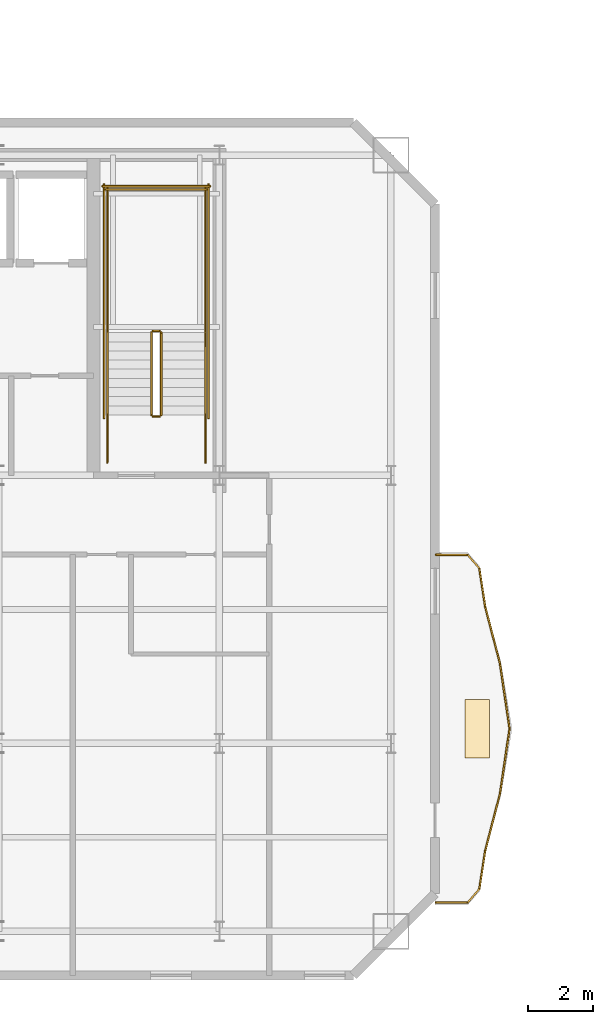
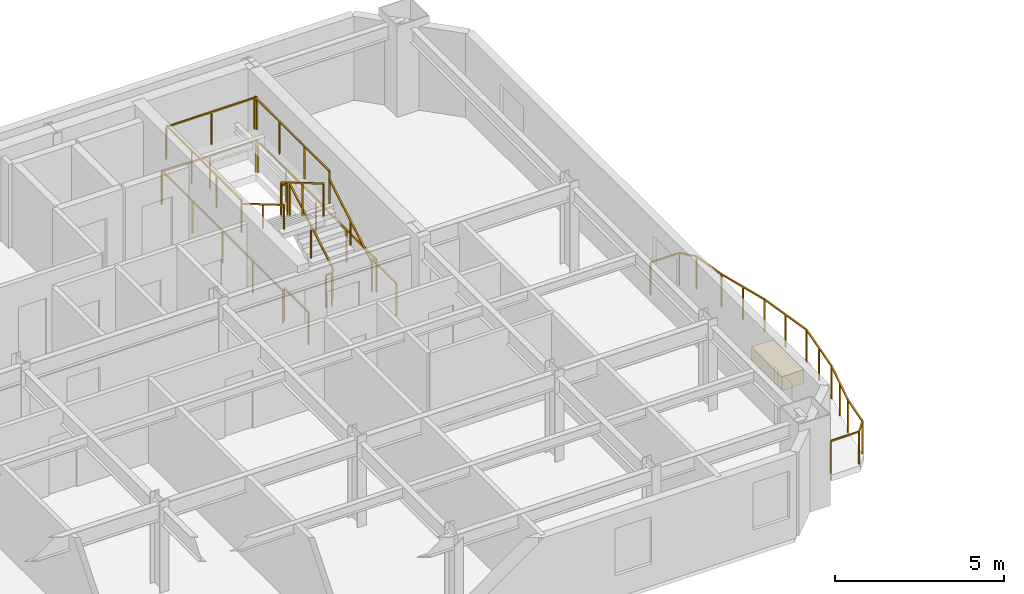
# One storey, part 11 of 13: 24 railings, 1 covering.
"""IFC4 building model written with IfcOpenShell, lengths in metres."""

from ifc_helpers import new_model, si_unit, direction, frame, origin, origin_2d, place, context, subcontext, project, spatial, rectangle, extrude, material, layer, layer_set, type_object, element, save


model = new_model("IFC4")

# Units and contexts
model_context = context("Model", 3, precision=1e-05, world=origin(), true_north=direction((0.0, 1.0)))
body_context = subcontext(model_context, "Body", "Model", "MODEL_VIEW")
ifc_project = project(units=[si_unit("LENGTHUNIT", "METRE"), si_unit("AREAUNIT", "SQUARE_METRE"), si_unit("VOLUMEUNIT", "CUBIC_METRE"), si_unit("PLANEANGLEUNIT", "RADIAN"), si_unit("MASSUNIT", "GRAM", prefix="KILO")], contexts=[model_context])

# Site, building, storey
site_placement = place(None, origin())
site = spatial("IfcSite", under=ifc_project, at=site_placement, CompositionType="ELEMENT")
building_placement = place(site_placement, origin())
building = spatial("IfcBuilding", under=site, at=building_placement, Name="Haevon Station Towers", CompositionType="ELEMENT")
storey_placement = place(building_placement, frame((0.0, 0.0, 225.300048828125)))
storey = spatial("IfcBuildingStorey", under=building, at=storey_placement, Name="L62", CompositionType="ELEMENT", Elevation=225.300048828125)

# Railings
ifc_material_1 = material(Name="Steel S355", Category="steel")
railing_type_1 = type_object("IfcRailingType", Name="GRD-EXT1200", PredefinedType="GUARDRAIL", material=ifc_material_1)
railing_1_placement = place(storey_placement, frame((57.62353515625, 25.1279296875, 0.0)))
element("IfcRailing", 1, at=railing_1_placement, inside=storey, type_object=railing_type_1, Name="L62 Perimeter Guardrail 1", PredefinedType="GUARDRAIL", context=body_context, shape_type="SweptSolid", body=[
    extrude(rectangle(XDim=0.048095703125, YDim=0.048095703125, at=origin_2d()), frame((0.0, 0.0, 1.17578125), z_axis=(0.999997990976, 0.002004506121, 0.0), x_axis=(-0.002004506121, 0.999997990976, 0.0)), (0.0, 0.0, 1.0), 0.974365234375),
    extrude(rectangle(XDim=0.0419921875, YDim=0.0419921875, at=origin_2d()), origin(), (0.0, 0.0, 1.0), 1.15185546875),
    extrude(rectangle(XDim=0.0419921875, YDim=0.0419921875, at=origin_2d()), frame((0.974365234375, 0.001953125, 0.0)), (0.0, 0.0, 1.0), 1.15185546875),
])
railing_2_placement = place(storey_placement, frame((58.597900390625, 25.1298828125, 0.0)))
element("IfcRailing", 2, at=railing_2_placement, inside=storey, type_object=railing_type_1, Name="L62 Perimeter Guardrail 2", PredefinedType="GUARDRAIL", context=body_context, shape_type="SweptSolid", body=[
    extrude(rectangle(XDim=0.048095703125, YDim=0.048095703125, at=origin_2d()), frame((0.0, 0.0, 1.17578125), z_axis=(0.65275272143, 0.757571042652, 0.0), x_axis=(-0.757571042652, 0.65275272143, 0.0)), (0.0, 0.0, 1.0), 0.542724609375),
    extrude(rectangle(XDim=0.0419921875, YDim=0.0419921875, at=origin_2d()), origin(), (0.0, 0.0, 1.0), 1.15185546875),
    extrude(rectangle(XDim=0.0419921875, YDim=0.0419921875, at=origin_2d()), frame((0.354248046875, 0.4111328125, 0.0)), (0.0, 0.0, 1.0), 1.15185546875),
])
railing_3_placement = place(storey_placement, frame((58.9521484375, 25.541015625, 0.0)))
element("IfcRailing", 3, at=railing_3_placement, inside=storey, type_object=railing_type_1, Name="L62 Perimeter Guardrail 3", PredefinedType="GUARDRAIL", context=body_context, shape_type="SweptSolid", body=[
    extrude(rectangle(XDim=0.048095703125, YDim=0.048095703125, at=origin_2d()), frame((0.0, 0.0, 1.17578125), z_axis=(0.152150136811, 0.988357392783, 0.0), x_axis=(-0.988357392783, 0.152150136811, 0.0)), (0.0, 0.0, 1.0), 1.18408203125),
    extrude(rectangle(XDim=0.0419921875, YDim=0.0419921875, at=origin_2d()), origin(), (0.0, 0.0, 1.0), 1.15185546875),
    extrude(rectangle(XDim=0.0419921875, YDim=0.0419921875, at=origin_2d()), frame((0.18017578125, 1.17041015625, 0.0)), (0.0, 0.0, 1.0), 1.15185546875),
])
railing_4_placement = place(storey_placement, frame((59.13232421875, 26.71142578125, 0.0)))
element("IfcRailing", 4, at=railing_4_placement, inside=storey, type_object=railing_type_1, Name="L62 Perimeter Guardrail 4", PredefinedType="GUARDRAIL", context=body_context, shape_type="SweptSolid", body=[
    extrude(rectangle(XDim=0.048095703125, YDim=0.048095703125, at=origin_2d()), frame((0.0, 0.0, 1.17578125), z_axis=(0.25111702381, 0.967956734752, 0.0), x_axis=(-0.967956734752, 0.25111702381, 0.0)), (0.0, 0.0, 1.0), 1.805419921875),
    extrude(rectangle(XDim=0.0419921875, YDim=0.0419921875, at=origin_2d()), origin(), (0.0, 0.0, 1.0), 1.15185546875),
    extrude(rectangle(XDim=0.0419921875, YDim=0.0419921875, at=origin_2d()), frame((0.2265625, 0.873779296875, 0.0)), (0.0, 0.0, 1.0), 1.15185546875),
    extrude(rectangle(XDim=0.0419921875, YDim=0.0419921875, at=origin_2d()), frame((0.453369140625, 1.74755859375, 0.0)), (0.0, 0.0, 1.0), 1.15185546875),
])
railing_5_placement = place(storey_placement, frame((59.585693359375, 28.458984375, 0.0)))
element("IfcRailing", 5, at=railing_5_placement, inside=storey, type_object=railing_type_1, Name="L62 Perimeter Guardrail 5", PredefinedType="GUARDRAIL", context=body_context, shape_type="SweptSolid", body=[
    extrude(rectangle(XDim=0.048095703125, YDim=0.048095703125, at=origin_2d()), frame((0.0, 0.0, 1.17578125), z_axis=(0.14558130584, 0.989346290937, 0.0), x_axis=(-0.989346290937, 0.14558130584, 0.0)), (0.0, 0.0, 1.0), 2.012451171875),
    extrude(rectangle(XDim=0.0419921875, YDim=0.0419921875, at=origin_2d()), origin(), (0.0, 0.0, 1.0), 1.15185546875),
    extrude(rectangle(XDim=0.0419921875, YDim=0.0419921875, at=origin_2d()), frame((0.146484375, 0.99560546875, 0.0)), (0.0, 0.0, 1.0), 1.15185546875),
    extrude(rectangle(XDim=0.0419921875, YDim=0.0419921875, at=origin_2d()), frame((0.29296875, 1.990966796875, 0.0)), (0.0, 0.0, 1.0), 1.15185546875),
])
railing_6_placement = place(storey_placement, frame((59.878662109375, 30.449951171875, 0.0)))
element("IfcRailing", 6, at=railing_6_placement, inside=storey, type_object=railing_type_1, Name="L62 Perimeter Guardrail 6", PredefinedType="GUARDRAIL", context=body_context, shape_type="SweptSolid", body=[
    extrude(rectangle(XDim=0.048095703125, YDim=0.048095703125, at=origin_2d()), frame((0.0, 0.0, 1.17578125), z_axis=(-0.14558130584, 0.989346290937, 0.0), x_axis=(-0.989346290937, -0.14558130584, 0.0)), (0.0, 0.0, 1.0), 2.012451171875),
    extrude(rectangle(XDim=0.0419921875, YDim=0.0419921875, at=origin_2d()), origin(), (0.0, 0.0, 1.0), 1.15185546875),
    extrude(rectangle(XDim=0.0419921875, YDim=0.0419921875, at=origin_2d()), frame((-0.146484375, 0.99560546875, 0.0)), (0.0, 0.0, 1.0), 1.15185546875),
    extrude(rectangle(XDim=0.0419921875, YDim=0.0419921875, at=origin_2d()), frame((-0.29296875, 1.990966796875, 0.0)), (0.0, 0.0, 1.0), 1.15185546875),
])
railing_7_placement = place(storey_placement, frame((59.585693359375, 32.44091796875, 0.0)))
element("IfcRailing", 7, at=railing_7_placement, inside=storey, type_object=railing_type_1, Name="L62 Perimeter Guardrail 7", PredefinedType="GUARDRAIL", context=body_context, shape_type="SweptSolid", body=[
    extrude(rectangle(XDim=0.048095703125, YDim=0.048095703125, at=origin_2d()), frame((0.0, 0.0, 1.17578125), z_axis=(-0.25111702381, 0.967956734752, 0.0), x_axis=(-0.967956734752, -0.25111702381, 0.0)), (0.0, 0.0, 1.0), 1.805419921875),
    extrude(rectangle(XDim=0.0419921875, YDim=0.0419921875, at=origin_2d()), origin(), (0.0, 0.0, 1.0), 1.15185546875),
    extrude(rectangle(XDim=0.0419921875, YDim=0.0419921875, at=origin_2d()), frame((-0.2265625, 0.873779296875, 0.0)), (0.0, 0.0, 1.0), 1.15185546875),
    extrude(rectangle(XDim=0.0419921875, YDim=0.0419921875, at=origin_2d()), frame((-0.453369140625, 1.74755859375, 0.0)), (0.0, 0.0, 1.0), 1.15185546875),
])
railing_8_placement = place(storey_placement, frame((59.13232421875, 34.1884765625, 0.0)))
element("IfcRailing", 8, at=railing_8_placement, inside=storey, type_object=railing_type_1, Name="L62 Perimeter Guardrail 8", PredefinedType="GUARDRAIL", context=body_context, shape_type="SweptSolid", body=[
    extrude(rectangle(XDim=0.048095703125, YDim=0.048095703125, at=origin_2d()), frame((0.0, 0.0, 1.17578125), z_axis=(-0.152150136811, 0.988357392783, 0.0), x_axis=(-0.988357392783, -0.152150136811, 0.0)), (0.0, 0.0, 1.0), 1.18408203125),
    extrude(rectangle(XDim=0.0419921875, YDim=0.0419921875, at=origin_2d()), origin(), (0.0, 0.0, 1.0), 1.15185546875),
    extrude(rectangle(XDim=0.0419921875, YDim=0.0419921875, at=origin_2d()), frame((-0.18017578125, 1.17041015625, 0.0)), (0.0, 0.0, 1.0), 1.15185546875),
])
railing_9_placement = place(storey_placement, frame((58.9521484375, 35.35888671875, 0.0)))
element("IfcRailing", 9, at=railing_9_placement, inside=storey, type_object=railing_type_1, Name="L62 Perimeter Guardrail 9", PredefinedType="GUARDRAIL", context=body_context, shape_type="SweptSolid", body=[
    extrude(rectangle(XDim=0.048095703125, YDim=0.048095703125, at=origin_2d()), frame((0.0, 0.0, 1.17578125), z_axis=(-0.65275272143, 0.757571042652, 0.0), x_axis=(-0.757571042652, -0.65275272143, 0.0)), (0.0, 0.0, 1.0), 0.542724609375),
    extrude(rectangle(XDim=0.0419921875, YDim=0.0419921875, at=origin_2d()), origin(), (0.0, 0.0, 1.0), 1.15185546875),
    extrude(rectangle(XDim=0.0419921875, YDim=0.0419921875, at=origin_2d()), frame((-0.354248046875, 0.4111328125, 0.0)), (0.0, 0.0, 1.0), 1.15185546875),
])
railing_10_placement = place(storey_placement, frame((58.597900390625, 35.77001953125, 0.0)))
element("IfcRailing", 10, at=railing_10_placement, inside=storey, type_object=railing_type_1, Name="L62 Perimeter Guardrail 10", PredefinedType="GUARDRAIL", context=body_context, shape_type="SweptSolid", body=[
    extrude(rectangle(XDim=0.048095703125, YDim=0.048095703125, at=origin_2d()), frame((0.0, 0.0, 1.17578125), z_axis=(-0.999997457331, 0.002255068182, 0.0), x_axis=(-0.002255068182, -0.999997457331, 0.0)), (0.0, 0.0, 1.0), 0.974365234375),
    extrude(rectangle(XDim=0.0419921875, YDim=0.0419921875, at=origin_2d()), origin(), (0.0, 0.0, 1.0), 1.15185546875),
    extrude(rectangle(XDim=0.0419921875, YDim=0.0419921875, at=origin_2d()), frame((-0.974365234375, 0.002197265625, 0.0)), (0.0, 0.0, 1.0), 1.15185546875),
])
railing_type_2 = type_object("IfcRailingType", Name="GRD-STR1200", PredefinedType="GUARDRAIL", material=ifc_material_1)
railing_11_placement = place(storey_placement, frame((49.219970703125, 40.050048828125, 0.1650390625)))
element("IfcRailing", 11, at=railing_11_placement, inside=storey, type_object=railing_type_2, Name="L62 ST2 Stair Guard 1", PredefinedType="GUARDRAIL", context=body_context, shape_type="SweptSolid", body=[
    extrude(rectangle(XDim=0.048095703125, YDim=0.048095703125, at=origin_2d()), frame((0.0, 0.0, 1.17578125), z_axis=(0.0, 0.861560626758, 0.507654692109), x_axis=(-1.0, 0.0, 0.0)), (0.0, 0.0, 1.0), 2.925048828125),
    extrude(rectangle(XDim=0.0419921875, YDim=0.0419921875, at=origin_2d()), origin(), (0.0, 0.0, 1.0), 1.15185546875),
    extrude(rectangle(XDim=0.0419921875, YDim=0.0419921875, at=origin_2d()), frame((0.0, 1.260009765625, 0.742431640625)), (0.0, 0.0, 1.0), 1.15185546875),
    extrude(rectangle(XDim=0.0419921875, YDim=0.0419921875, at=origin_2d()), frame((0.0, 2.52001953125, 1.48486328125)), (0.0, 0.0, 1.0), 1.15185546875),
])
railing_12_placement = place(storey_placement, frame((49.169921875, 42.6201171875, 1.64990234375)))
element("IfcRailing", 12, at=railing_12_placement, inside=storey, type_object=railing_type_2, Name="L62 ST2 Stair Guard 2", PredefinedType="GUARDRAIL", context=body_context, shape_type="SweptSolid", body=[
    extrude(rectangle(XDim=0.048095703125, YDim=0.048095703125, at=origin_2d()), frame((0.0, 0.0, 1.17578125), z_axis=(-1.0, 0.0, 0.0), x_axis=(0.0, -1.0, 0.0)), (0.0, 0.0, 1.0), 0.199951171875),
    extrude(rectangle(XDim=0.0419921875, YDim=0.0419921875, at=origin_2d()), origin(), (0.0, 0.0, 1.0), 1.15185546875),
    extrude(rectangle(XDim=0.0419921875, YDim=0.0419921875, at=origin_2d()), frame((-0.199951171875, 0.0, 0.0)), (0.0, 0.0, 1.0), 1.15185546875),
])
for number, where, name in (
    (13, (50.570068359375, 42.570068359375, 1.64990234375), "L62 ST2 Stair Guard 3"),
    (14, (47.570068359375, 42.570068359375, 1.64990234375), "L62 ST2 Stair Guard 4"),
):
    element("IfcRailing", number, at=place(storey_placement, frame(where)), inside=storey, type_object=railing_type_2, Name=name, PredefinedType="GUARDRAIL", context=body_context, shape_type="SweptSolid", body=[
        extrude(rectangle(XDim=0.048095703125, YDim=0.048095703125, at=origin_2d()), frame((0.0, 0.0, 1.17578125), z_axis=(0.0, 1.0, 0.0), x_axis=(-1.0, 0.0, 0.0)), (0.0, 0.0, 1.0), 4.429931640625),
        extrude(rectangle(XDim=0.0419921875, YDim=0.0419921875, at=origin_2d()), origin(), (0.0, 0.0, 1.0), 1.15185546875),
        extrude(rectangle(XDim=0.0419921875, YDim=0.0419921875, at=origin_2d()), frame((0.0, 1.4765625, 0.0)), (0.0, 0.0, 1.0), 1.15185546875),
        extrude(rectangle(XDim=0.0419921875, YDim=0.0419921875, at=origin_2d()), frame((0.0, 2.953369140625, 0.0)), (0.0, 0.0, 1.0), 1.15185546875),
        extrude(rectangle(XDim=0.0419921875, YDim=0.0419921875, at=origin_2d()), frame((0.0, 4.429931640625, 0.0)), (0.0, 0.0, 1.0), 1.15185546875),
    ])
railing_13_placement = place(storey_placement, frame((50.6201171875, 46.949951171875, 1.64990234375)))
element("IfcRailing", 15, at=railing_13_placement, inside=storey, type_object=railing_type_2, Name="L62 ST2 Stair Guard 5", PredefinedType="GUARDRAIL", context=body_context, shape_type="SweptSolid", body=[
    extrude(rectangle(XDim=0.048095703125, YDim=0.048095703125, at=origin_2d()), frame((0.0, 0.0, 1.17578125), z_axis=(-1.0, 0.0, 0.0), x_axis=(0.0, -1.0, 0.0)), (0.0, 0.0, 1.0), 3.10009765625),
    extrude(rectangle(XDim=0.0419921875, YDim=0.0419921875, at=origin_2d()), origin(), (0.0, 0.0, 1.0), 1.15185546875),
    extrude(rectangle(XDim=0.0419921875, YDim=0.0419921875, at=origin_2d()), frame((-1.550048828125, 0.0, 0.0)), (0.0, 0.0, 1.0), 1.15185546875),
    extrude(rectangle(XDim=0.0419921875, YDim=0.0419921875, at=origin_2d()), frame((-3.10009765625, 0.0, 0.0)), (0.0, 0.0, 1.0), 1.15185546875),
])
railing_14_placement = place(storey_placement, frame((48.919921875, 42.570068359375, 1.81494140625)))
element("IfcRailing", 16, at=railing_14_placement, inside=storey, type_object=railing_type_2, Name="L62 ST2 Stair Guard 6", PredefinedType="GUARDRAIL", context=body_context, shape_type="SweptSolid", body=[
    extrude(rectangle(XDim=0.048095703125, YDim=0.048095703125, at=origin_2d()), frame((0.0, 0.0, 1.17578125), z_axis=(0.0, -0.86152411907, 0.507716645641), x_axis=(1.0, 0.0, 0.0)), (0.0, 0.0, 1.0), 2.925048828125),
    extrude(rectangle(XDim=0.0419921875, YDim=0.0419921875, at=origin_2d()), origin(), (0.0, 0.0, 1.0), 1.15185546875),
    extrude(rectangle(XDim=0.0419921875, YDim=0.0419921875, at=origin_2d()), frame((0.0, -1.260009765625, 0.74267578125)), (0.0, 0.0, 1.0), 1.15185546875),
    extrude(rectangle(XDim=0.0419921875, YDim=0.0419921875, at=origin_2d()), frame((0.0, -2.52001953125, 1.485107421875)), (0.0, 0.0, 1.0), 1.15185546875),
])
railing_15_placement = place(storey_placement, frame((49.169921875, 40.0, 0.0)))
element("IfcRailing", 17, at=railing_15_placement, inside=storey, type_object=railing_type_2, Name="L62 ST2 Stair Guard 7", PredefinedType="GUARDRAIL", context=body_context, shape_type="SweptSolid", body=[
    extrude(rectangle(XDim=0.048095703125, YDim=0.048095703125, at=origin_2d()), frame((0.0, 0.0, 1.17578125), z_axis=(-1.0, 0.0, 0.0), x_axis=(0.0, -1.0, 0.0)), (0.0, 0.0, 1.0), 0.199951171875),
    extrude(rectangle(XDim=0.0419921875, YDim=0.0419921875, at=origin_2d()), origin(), (0.0, 0.0, 1.0), 1.15185546875),
    extrude(rectangle(XDim=0.0419921875, YDim=0.0419921875, at=origin_2d()), frame((-0.199951171875, 0.0, 0.0)), (0.0, 0.0, 1.0), 1.15185546875),
])
for number, where, name in (
    (18, (50.570068359375, 38.60009765625, 0.0), "L62 ST2 Stair Guard 8"),
    (19, (47.570068359375, 38.60009765625, 0.0), "L62 ST2 Stair Guard 9"),
):
    element("IfcRailing", number, at=place(storey_placement, frame(where)), inside=storey, type_object=railing_type_2, Name=name, PredefinedType="GUARDRAIL", context=body_context, shape_type="SweptSolid", body=[
        extrude(rectangle(XDim=0.048095703125, YDim=0.048095703125, at=origin_2d()), frame((0.0, 0.0, 1.17578125), z_axis=(0.0, 1.0, 0.0), x_axis=(-1.0, 0.0, 0.0)), (0.0, 0.0, 1.0), 1.449951171875),
        extrude(rectangle(XDim=0.0419921875, YDim=0.0419921875, at=origin_2d()), origin(), (0.0, 0.0, 1.0), 1.15185546875),
        extrude(rectangle(XDim=0.0419921875, YDim=0.0419921875, at=origin_2d()), frame((0.0, 1.449951171875, 0.0)), (0.0, 0.0, 1.0), 1.15185546875),
    ])
for number, where, name in (
    (20, (50.669921875, 39.949951171875, 0.0), "L62 ST2 Stair Guard 10"),
    (21, (47.469970703125, 39.949951171875, 0.0), "L62 ST2 Stair Guard 11"),
):
    element("IfcRailing", number, at=place(storey_placement, frame(where)), inside=storey, type_object=railing_type_2, Name=name, PredefinedType="GUARDRAIL", context=body_context, shape_type="SweptSolid", body=[
        extrude(rectangle(XDim=0.048095703125, YDim=0.048095703125, at=origin_2d()), frame((0.0, 0.0, 1.17578125), z_axis=(0.0, 1.0, 0.0), x_axis=(-1.0, 0.0, 0.0)), (0.0, 0.0, 1.0), 7.150146484375),
        extrude(rectangle(XDim=0.0419921875, YDim=0.0419921875, at=origin_2d()), origin(), (0.0, 0.0, 1.0), 1.15185546875),
        extrude(rectangle(XDim=0.0419921875, YDim=0.0419921875, at=origin_2d()), frame((0.0, 1.78759765625, 0.0)), (0.0, 0.0, 1.0), 1.15185546875),
        extrude(rectangle(XDim=0.0419921875, YDim=0.0419921875, at=origin_2d()), frame((0.0, 3.5751953125, 0.0)), (0.0, 0.0, 1.0), 1.15185546875),
        extrude(rectangle(XDim=0.0419921875, YDim=0.0419921875, at=origin_2d()), frame((0.0, 5.362548828125, 0.0)), (0.0, 0.0, 1.0), 1.15185546875),
        extrude(rectangle(XDim=0.0419921875, YDim=0.0419921875, at=origin_2d()), frame((0.0, 7.150146484375, 0.0)), (0.0, 0.0, 1.0), 1.15185546875),
    ])
railing_16_placement = place(storey_placement, frame((50.719970703125, 47.050048828125, 0.0)))
element("IfcRailing", 22, at=railing_16_placement, inside=storey, type_object=railing_type_2, Name="L62 ST2 Stair Guard 12", PredefinedType="GUARDRAIL", context=body_context, shape_type="SweptSolid", body=[
    extrude(rectangle(XDim=0.048095703125, YDim=0.048095703125, at=origin_2d()), frame((0.0, 0.0, 1.17578125), z_axis=(-1.0, 0.0, 0.0), x_axis=(0.0, -1.0, 0.0)), (0.0, 0.0, 1.0), 3.300048828125),
    extrude(rectangle(XDim=0.0419921875, YDim=0.0419921875, at=origin_2d()), origin(), (0.0, 0.0, 1.0), 1.15185546875),
    extrude(rectangle(XDim=0.0419921875, YDim=0.0419921875, at=origin_2d()), frame((-1.64990234375, 0.0, 0.0)), (0.0, 0.0, 1.0), 1.15185546875),
    extrude(rectangle(XDim=0.0419921875, YDim=0.0419921875, at=origin_2d()), frame((-3.300048828125, 0.0, 0.0)), (0.0, 0.0, 1.0), 1.15185546875),
])
railing_type_3 = type_object("IfcRailingType", Name="HND-STR900", PredefinedType="HANDRAIL", material=ifc_material_1)
railing_17_placement = place(storey_placement, frame((50.570068359375, 40.050048828125, 0.1650390625)))
element("IfcRailing", 23, at=railing_17_placement, inside=storey, type_object=railing_type_3, Name="L62 ST2 Stair Handrail 1", PredefinedType="HANDRAIL", context=body_context, shape_type="SweptSolid", body=[
    extrude(rectangle(XDim=0.048095703125, YDim=0.048095703125, at=origin_2d()), frame((0.0, 0.0, 0.8759765625), z_axis=(0.0, 0.861560626758, 0.507654692109), x_axis=(-1.0, 0.0, 0.0)), (0.0, 0.0, 1.0), 2.925048828125),
    extrude(rectangle(XDim=0.0419921875, YDim=0.0419921875, at=origin_2d()), origin(), (0.0, 0.0, 1.0), 0.851806640625),
    extrude(rectangle(XDim=0.0419921875, YDim=0.0419921875, at=origin_2d()), frame((0.0, 1.260009765625, 0.742431640625)), (0.0, 0.0, 1.0), 0.851806640625),
    extrude(rectangle(XDim=0.0419921875, YDim=0.0419921875, at=origin_2d()), frame((0.0, 2.52001953125, 1.48486328125)), (0.0, 0.0, 1.0), 0.851806640625),
])
railing_18_placement = place(storey_placement, frame((47.570068359375, 42.570068359375, 1.81494140625)))
element("IfcRailing", 24, at=railing_18_placement, inside=storey, type_object=railing_type_3, Name="L62 ST2 Stair Handrail 2", PredefinedType="HANDRAIL", context=body_context, shape_type="SweptSolid", body=[
    extrude(rectangle(XDim=0.048095703125, YDim=0.048095703125, at=origin_2d()), frame((0.0, 0.0, 0.8759765625), z_axis=(0.0, -0.86152411907, 0.507716645641), x_axis=(1.0, 0.0, 0.0)), (0.0, 0.0, 1.0), 2.925048828125),
    extrude(rectangle(XDim=0.0419921875, YDim=0.0419921875, at=origin_2d()), origin(), (0.0, 0.0, 1.0), 0.851806640625),
    extrude(rectangle(XDim=0.0419921875, YDim=0.0419921875, at=origin_2d()), frame((0.0, -1.260009765625, 0.74267578125)), (0.0, 0.0, 1.0), 0.851806640625),
    extrude(rectangle(XDim=0.0419921875, YDim=0.0419921875, at=origin_2d()), frame((0.0, -2.52001953125, 1.485107421875)), (0.0, 0.0, 1.0), 0.851806640625),
])

# Covering
ifc_material_2 = material(Name="Architectural planter GRC", Category="concrete")
ifc_layer = layer(ifc_material_2, 0.550048828125)
ifc_layer_set = layer_set([ifc_layer], Name="Architectural planter GRC")
covering_type = type_object("IfcCoveringType", Name="PLN-GRC550", PredefinedType="MOLDING", material=ifc_layer_set)
covering_placement = place(storey_placement, frame((58.887451171875, 30.449951171875, 0.0), z_axis=(0.0, 0.0, 1.0), x_axis=(1.0, 0.0, 0.0)))
element("IfcCovering", 25, at=covering_placement, inside=storey, type_object=covering_type, Name="Tower 1 L62 Scalloped Balcony PLANTER", PredefinedType="MOLDING", context=body_context, shape_type="SweptSolid", body=[
    extrude(rectangle(XDim=0.75, YDim=1.800048828125, at=origin_2d()), origin(), (0.0, 0.0, 1.0), 0.5),
])

save(model, "model.ifc")
